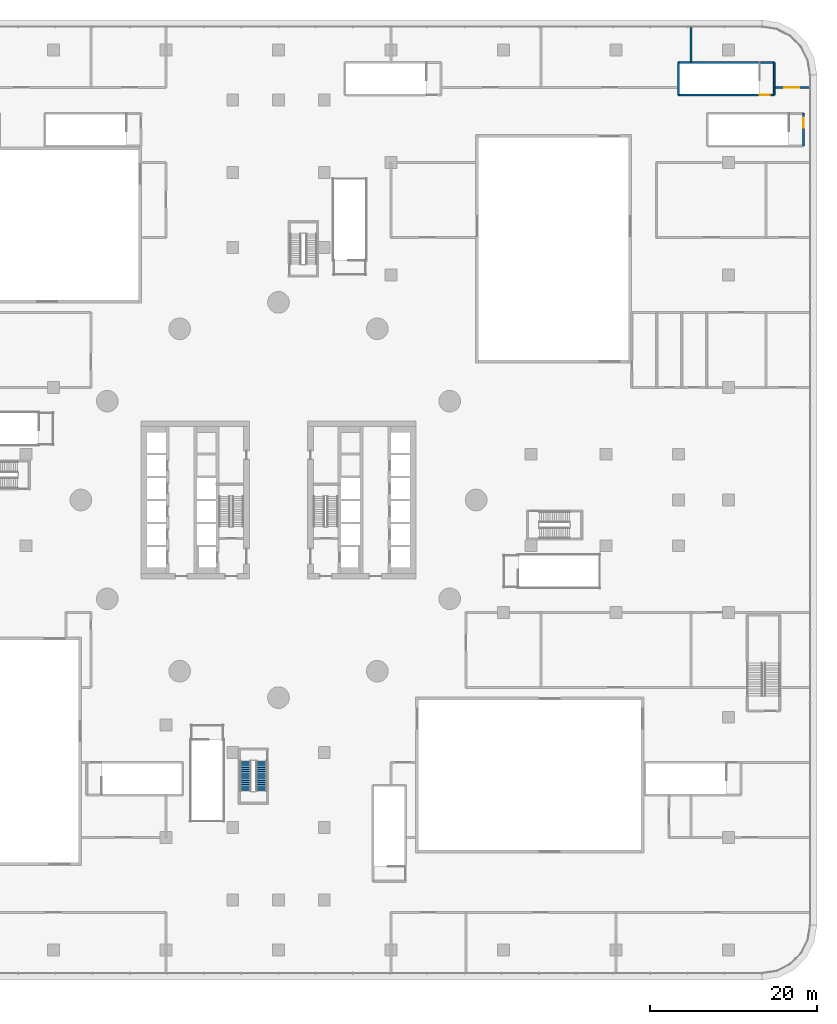
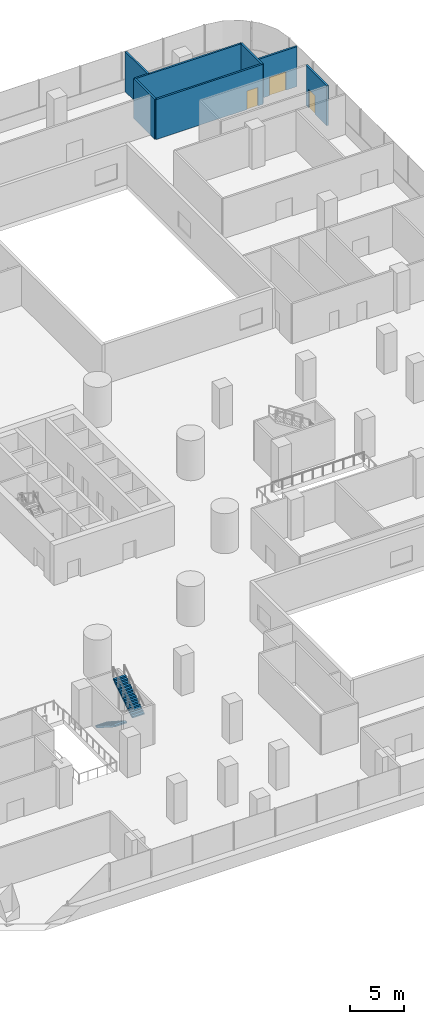
# One storey, part 29 of 38: 7 walls, 3 doors, 2 stair flights, 3 openings, 1 element without a shape of its own.
"""IFC4 building model written with IfcOpenShell, lengths in metres."""

from ifc_helpers import new_model, si_unit, direction, frame, frame_2d, origin, place, context, subcontext, project, spatial, polyline, rectangle, outline, extrude, material, layer, layer_set, type_object, element, fill, aggregate, save


model = new_model("IFC4")

# Units and contexts
model_context = context("Model", 3, precision=1e-05, world=origin(), true_north=direction((0.0, 1.0)))
body_context = subcontext(model_context, "Body", "Model", "MODEL_VIEW")
ifc_project = project(units=[si_unit("LENGTHUNIT", "METRE"), si_unit("AREAUNIT", "SQUARE_METRE"), si_unit("VOLUMEUNIT", "CUBIC_METRE"), si_unit("PLANEANGLEUNIT", "RADIAN"), si_unit("MASSUNIT", "GRAM", prefix="KILO")], contexts=[model_context])

# Site, building, storey
site_placement = place(None, origin())
site = spatial("IfcSite", under=ifc_project, at=site_placement, CompositionType="ELEMENT")
building_placement = place(site_placement, origin())
building = spatial("IfcBuilding", under=site, at=building_placement, Name="Tamarind Cross Interchange Tower", CompositionType="ELEMENT")
storey_placement = place(building_placement, frame((0.0, 0.0, 20.0)))
storey = spatial("IfcBuildingStorey", under=building, at=storey_placement, Name="L03", CompositionType="ELEMENT", Elevation=20.0)

# Wall
ifc_material_1 = material(Name="Masonry partition, fire-rated", Category="masonry")
ifc_layer_1 = layer(ifc_material_1, 0.199951171875)
ifc_layer_set_1 = layer_set([ifc_layer_1], Name="Masonry partition, fire-rated")
wall_type_1 = type_object("IfcWallType", Name="Fire partition 200 EI 120", PredefinedType="PARTITIONING", material=ifc_layer_set_1)
wall_1_placement = place(storey_placement, frame((49.5, 52.530029296875, 0.0), z_axis=(0.0, 0.0, 1.0), x_axis=(0.0, 1.0, 0.0)))
element("IfcWall", 1, at=wall_1_placement, inside=storey, type_object=wall_type_1, Name="L03 partition 111", PredefinedType="PARTITIONING", context=body_context, shape_type="SweptSolid", body=[
    extrude(rectangle(XDim=4.1689453125, YDim=0.199951171875, at=frame_2d((2.08447265625, 0.0))), origin(), (0.0, 0.0, 1.0), 4.550048828125),
])

# Wall, opening, door
wall_2_placement = place(storey_placement, frame((59.530029296875, 49.5, 0.0), z_axis=(0.0, 0.0, 1.0), x_axis=(1.0, 0.0, 0.0)))
wall_2 = element("IfcWall", 2, at=wall_2_placement, inside=storey, type_object=wall_type_1, Name="L03 partition 119", PredefinedType="PARTITIONING", context=body_context, shape_type="SweptSolid", body=[
    extrude(rectangle(XDim=4.1689453125, YDim=0.199951171875, at=frame_2d((2.08447265625, 0.0))), origin(), (0.0, 0.0, 1.0), 4.550048828125),
])
opening_1_placement = place(wall_2_placement, frame((1.179931640625, 0.0, 0.0)))
opening_1 = element("IfcOpeningElement", 3, at=opening_1_placement, cuts=wall_2, Name="Opening DL03-22", PredefinedType="OPENING", context=body_context, shape_type="SweptSolid", body=[
    extrude(rectangle(XDim=1.800048828125, YDim=2.10009765625, at=frame_2d((0.89990234375, 1.050048828125))), frame((0.0, 0.10986328125, 0.0), z_axis=(0.0, -1.0, 0.0), x_axis=(1.0, 0.0, 0.0)), (0.0, 0.0, 1.0), 0.219970703125),
])
ifc_material_2 = material(Name="Steel, fire-resisting", Category="steel")
door_type_1 = type_object("IfcDoorType", Name="Podium door 1800 x 2100 FD60", OperationType="SINGLE_SWING_LEFT", PredefinedType="DOOR", material=ifc_material_2)
door_1_placement = place(opening_1_placement, origin())
door_1 = element("IfcDoor", 4, at=door_1_placement, inside=storey, type_object=door_type_1, Name="L03 door Childcare Room 0308", OperationType="SINGLE_SWING_RIGHT", OverallHeight=2.10009765625, OverallWidth=1.800048828125, PredefinedType="DOOR", context=body_context, shape_type="SweptSolid", body=[
    extrude(rectangle(XDim=1.800048828125, YDim=2.10009765625, at=frame_2d((0.89990234375, 1.050048828125))), frame((0.0, 0.02490234375, 0.0), z_axis=(0.0, -1.0, 0.0), x_axis=(1.0, 0.0, 0.0)), (0.0, 0.0, 1.0), 0.050048828125),
])
fill(opening_1, door_1)

ifc_material_3 = material(Name="Concrete C40", Category="concrete")
ifc_layer_2 = layer(ifc_material_3, 0.199951171875)
ifc_layer_set_2 = layer_set([ifc_layer_2], Name="Concrete C40")
wall_type_2 = type_object("IfcWallType", Name="Stair shaft wall 200 EI 180", PredefinedType="PARTITIONING", material=ifc_layer_set_2)
wall_3_placement = place(storey_placement, frame((48.0, 48.60009765625, 0.0), z_axis=(0.0, 0.0, 1.0), x_axis=(1.0, 0.0, 0.0)))
wall_3 = element("IfcWall", 5, at=wall_3_placement, inside=storey, type_object=wall_type_2, Name="L03 stair shaft wall 41", PredefinedType="PARTITIONING", context=body_context, shape_type="SweptSolid", body=[
    extrude(rectangle(XDim=11.5, YDim=0.199951171875, at=frame_2d((5.75, 0.0))), origin(), (0.0, 0.0, 1.0), 4.550048828125),
])
opening_2_placement = place(wall_3_placement, frame((9.780029296875, 0.0, 0.0)))
opening_2 = element("IfcOpeningElement", 6, at=opening_2_placement, cuts=wall_3, Name="Opening DL03-01", PredefinedType="OPENING", context=body_context, shape_type="SweptSolid", body=[
    extrude(rectangle(XDim=1.199951171875, YDim=2.10009765625, at=frame_2d((0.60009765625, 1.050048828125))), frame((0.0, 0.10986328125, 0.0), z_axis=(0.0, -1.0, 0.0), x_axis=(1.0, 0.0, 0.0)), (0.0, 0.0, 1.0), 0.219970703125),
])
door_type_2 = type_object("IfcDoorType", Name="Podium door 1200 x 2100 FD90", OperationType="SINGLE_SWING_LEFT", PredefinedType="DOOR", material=ifc_material_2)
door_2_placement = place(opening_2_placement, origin())
door_2 = element("IfcDoor", 7, at=door_2_placement, inside=storey, type_object=door_type_2, Name="L03 door Exit Stair PX1", OperationType="SINGLE_SWING_LEFT", OverallHeight=2.10009765625, OverallWidth=1.199951171875, PredefinedType="DOOR", context=body_context, shape_type="SweptSolid", body=[
    extrude(rectangle(XDim=1.199951171875, YDim=2.10009765625, at=frame_2d((0.60009765625, 1.050048828125))), frame((0.0, 0.02490234375, 0.0), z_axis=(0.0, -1.0, 0.0), x_axis=(1.0, 0.0, 0.0)), (0.0, 0.0, 1.0), 0.050048828125),
])
fill(opening_2, door_2)

# Walls
wall_4_placement = place(storey_placement, frame((48.0, 48.60009765625, 0.0), z_axis=(0.0, 0.0, 1.0), x_axis=(0.0, 1.0, 0.0)))
element("IfcWall", 8, at=wall_4_placement, inside=storey, type_object=wall_type_2, Name="L03 stair shaft wall 42", PredefinedType="PARTITIONING", context=body_context, shape_type="SweptSolid", body=[
    extrude(rectangle(XDim=3.89990234375, YDim=0.199951171875, at=frame_2d((1.949951171875, 0.0))), origin(), (0.0, 0.0, 1.0), 4.550048828125),
])
wall_5_placement = place(storey_placement, frame((48.0, 52.5, 0.0), z_axis=(0.0, 0.0, 1.0), x_axis=(1.0, 0.0, 0.0)))
element("IfcWall", 9, at=wall_5_placement, inside=storey, type_object=wall_type_2, Name="L03 stair shaft wall 43", PredefinedType="PARTITIONING", context=body_context, shape_type="SweptSolid", body=[
    extrude(rectangle(XDim=11.5, YDim=0.199951171875, at=frame_2d((5.75, 0.0))), origin(), (0.0, 0.0, 1.0), 4.550048828125),
])
wall_6_placement = place(storey_placement, frame((59.5, 48.60009765625, 0.0), z_axis=(0.0, 0.0, 1.0), x_axis=(0.0, 1.0, 0.0)))
element("IfcWall", 10, at=wall_6_placement, inside=storey, type_object=wall_type_2, Name="L03 stair shaft wall 44", PredefinedType="PARTITIONING", context=body_context, shape_type="SweptSolid", body=[
    extrude(rectangle(XDim=3.89990234375, YDim=0.199951171875, at=frame_2d((1.949951171875, 0.0))), origin(), (0.0, 0.0, 1.0), 4.550048828125),
])

# Wall, opening, door
wall_7_placement = place(storey_placement, frame((63.0, 42.5, 0.0), z_axis=(0.0, 0.0, 1.0), x_axis=(0.0, 1.0, 0.0)))
wall_7 = element("IfcWall", 11, at=wall_7_placement, inside=storey, type_object=wall_type_2, Name="L03 stair shaft wall 48", PredefinedType="PARTITIONING", context=body_context, shape_type="SweptSolid", body=[
    extrude(rectangle(XDim=3.89990234375, YDim=0.199951171875, at=frame_2d((1.949951171875, 0.0))), origin(), (0.0, 0.0, 1.0), 4.550048828125),
])
opening_3_placement = place(wall_7_placement, frame((2.14990234375, 0.0, 0.0)))
opening_3 = element("IfcOpeningElement", 12, at=opening_3_placement, cuts=wall_7, Name="Opening DL03-02", PredefinedType="OPENING", context=body_context, shape_type="SweptSolid", body=[
    extrude(rectangle(XDim=1.199951171875, YDim=2.10009765625, at=frame_2d((0.60009765625, 1.050048828125))), frame((0.0, 0.10986328125, 0.0), z_axis=(0.0, -1.0, 0.0), x_axis=(1.0, 0.0, 0.0)), (0.0, 0.0, 1.0), 0.219970703125),
])
door_3_placement = place(opening_3_placement, origin())
door_3 = element("IfcDoor", 13, at=door_3_placement, inside=storey, type_object=door_type_2, Name="L03 door Exit Stair PX2", OperationType="SINGLE_SWING_RIGHT", OverallHeight=2.10009765625, OverallWidth=1.199951171875, PredefinedType="DOOR", context=body_context, shape_type="SweptSolid", body=[
    extrude(rectangle(XDim=1.199951171875, YDim=2.10009765625, at=frame_2d((0.60009765625, 1.050048828125))), frame((0.0, 0.02490234375, 0.0), z_axis=(0.0, -1.0, 0.0), x_axis=(1.0, 0.0, 0.0)), (0.0, 0.0, 1.0), 0.050048828125),
])
fill(opening_3, door_3)

# Stair, stair flights
ifc_material_4 = material(Name="Exit stair")
stair_type = type_object("IfcStairType", Name="Exit stair", PredefinedType="HALF_TURN_STAIR", material=ifc_material_4)
stair_placement = place(storey_placement, origin())
stair = element("IfcStair", 14, at=stair_placement, inside=storey, type_object=stair_type, Name="L03 exit stair ST6", PredefinedType="HALF_TURN_STAIR")
ifc_material_5 = material(Name="Exit stair flight")
stair_flight_type = type_object("IfcStairFlightType", Name="Exit stair flight", PredefinedType="STRAIGHT", material=ifc_material_5)
stair_flight_1_placement = place(storey_placement, frame((-3.949951171875, -31.300048828125, 0.0), z_axis=(0.0, 0.0, 1.0), x_axis=(0.0, -1.0, 0.0)))
stair_flight_1 = element("IfcStairFlight", 15, at=stair_flight_1_placement, type_object=stair_flight_type, Name="ST6 flight 1", NumberOfRisers=15, NumberOfTreads=14, PredefinedType="STRAIGHT", RiserHeight=0.166666667, TreadLength=0.26, context=body_context, shape_type="SweptSolid", body=[
    extrude(outline(polyline([(0.0, 0.0), (0.0, 0.166748046875), (0.260009765625, 0.166748046875), (0.260009765625, 0.333251953125), (0.52001953125, 0.333251953125), (0.52001953125, 0.5), (0.780029296875, 0.5), (0.780029296875, 0.666748046875), (1.0400390625, 0.666748046875), (1.0400390625, 0.833251953125), (1.300048828125, 0.833251953125), (1.300048828125, 1.0), (1.56005859375, 1.0), (1.56005859375, 1.166748046875), (1.820068359375, 1.166748046875), (1.820068359375, 1.333251953125), (2.080078125, 1.333251953125), (2.080078125, 1.5), (2.340087890625, 1.5), (2.340087890625, 1.666748046875), (2.60009765625, 1.666748046875), (2.60009765625, 1.833251953125), (2.860107421875, 1.833251953125), (2.860107421875, 2.0), (3.1201171875, 2.0), (3.1201171875, 2.166748046875), (3.3798828125, 2.166748046875), (3.3798828125, 2.333251953125), (3.639892578125, 2.333251953125), (3.639892578125, 2.5), (3.639892578125, 2.1552734375), (0.27783203125, 0.0), (0.0, 0.0)])), frame((0.0, 0.64990234375, 0.0), z_axis=(0.0, -1.0, 0.0), x_axis=(1.0, 0.0, 0.0)), (0.0, 0.0, 1.0), 1.300048828125),
])
stair_flight_2_placement = place(storey_placement, frame((-2.050048828125, -34.93994140625, 2.5), z_axis=(0.0, 0.0, 1.0), x_axis=(0.0, 1.0, 0.0)))
stair_flight_2 = element("IfcStairFlight", 16, at=stair_flight_2_placement, type_object=stair_flight_type, Name="ST6 flight 2", NumberOfRisers=15, NumberOfTreads=14, PredefinedType="STRAIGHT", RiserHeight=0.166666667, TreadLength=0.26, context=body_context, shape_type="SweptSolid", body=[
    extrude(outline(polyline([(0.0, 0.0), (0.0, 0.166748046875), (0.260009765625, 0.166748046875), (0.260009765625, 0.333251953125), (0.52001953125, 0.333251953125), (0.52001953125, 0.5), (0.780029296875, 0.5), (0.780029296875, 0.666748046875), (1.0400390625, 0.666748046875), (1.0400390625, 0.833251953125), (1.300048828125, 0.833251953125), (1.300048828125, 1.0), (1.56005859375, 1.0), (1.56005859375, 1.166748046875), (1.820068359375, 1.166748046875), (1.820068359375, 1.333251953125), (2.080078125, 1.333251953125), (2.080078125, 1.5), (2.340087890625, 1.5), (2.340087890625, 1.666748046875), (2.60009765625, 1.666748046875), (2.60009765625, 1.833251953125), (2.860107421875, 1.833251953125), (2.860107421875, 2.0), (3.1201171875, 2.0), (3.1201171875, 2.166748046875), (3.3798828125, 2.166748046875), (3.3798828125, 2.333251953125), (3.639892578125, 2.333251953125), (3.639892578125, 2.5), (3.639892578125, 2.1552734375), (0.27783203125, 0.0), (0.0, 0.0)])), frame((0.0, 0.64990234375, 0.0), z_axis=(0.0, -1.0, 0.0), x_axis=(1.0, 0.0, 0.0)), (0.0, 0.0, 1.0), 1.300048828125),
])
aggregate(stair, [stair_flight_1, stair_flight_2])

save(model, "model.ifc")
